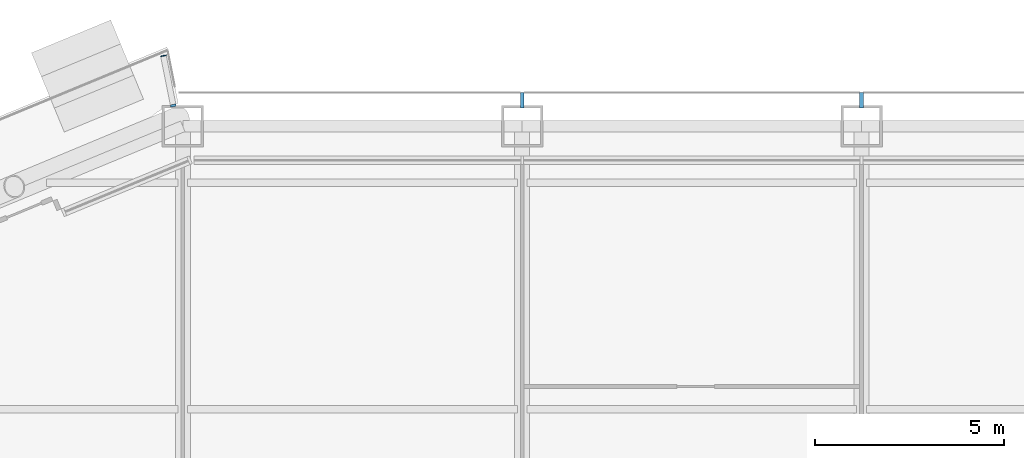
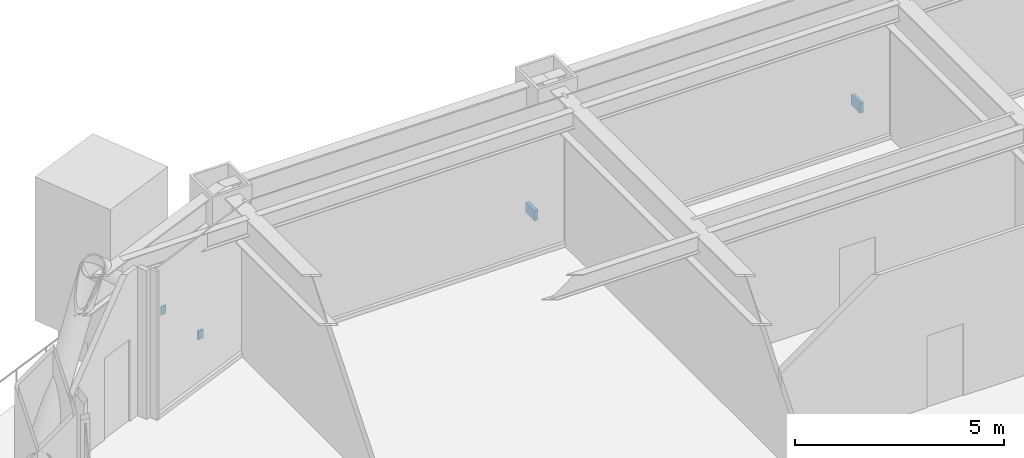
# One storey, part 21 of 28: 4 discrete accessories.
"""IFC4 building model written with IfcOpenShell, lengths in metres."""

from ifc_helpers import new_model, si_unit, direction, frame, origin, origin_2d, place, context, subcontext, project, spatial, rectangle, extrude, material, layer, layer_set, type_object, element, save


model = new_model("IFC4")

# Units and contexts
model_context = context("Model", 3, precision=1e-05, world=origin(), true_north=direction((0.0, 1.0)))
body_context = subcontext(model_context, "Body", "Model", "MODEL_VIEW")
ifc_project = project(units=[si_unit("LENGTHUNIT", "METRE"), si_unit("AREAUNIT", "SQUARE_METRE"), si_unit("VOLUMEUNIT", "CUBIC_METRE"), si_unit("PLANEANGLEUNIT", "RADIAN"), si_unit("MASSUNIT", "GRAM", prefix="KILO")], contexts=[model_context])

# Site, building, storey
site_placement = place(None, origin())
site = spatial("IfcSite", under=ifc_project, at=site_placement, CompositionType="ELEMENT")
building_placement = place(site_placement, origin())
building = spatial("IfcBuilding", under=site, at=building_placement, Name="Siwar Civic Tower", CompositionType="ELEMENT")
storey_placement = place(building_placement, frame((0.0, 0.0, 31.199951171875)))
storey = spatial("IfcBuildingStorey", under=building, at=storey_placement, Name="L06", CompositionType="ELEMENT", Elevation=31.199951171875)

# Discrete accessories
ifc_material_1 = material(Name="Stainless steel 316", Category="steel")
discrete_accessory_type_1 = type_object("IfcDiscreteAccessoryType", Name="ENV-BRACKET", PredefinedType="BRACKET", material=ifc_material_1)
for number, where, z_axis, x_axis, name in (
    (1, (-4.5, 32.18994140625, -0.14990234375), (0.0, 0.0, 1.0), (0.0, 1.0, 0.0), "Bracket outer skin joint N-03"),
    (2, (-13.5, 32.18994140625, -0.14990234375), (0.0, 0.0, 1.0), (0.0, 1.0, 0.0), "Bracket outer skin joint N-04"),
):
    element("IfcDiscreteAccessory", number, at=place(storey_placement, frame(where, z_axis=z_axis, x_axis=x_axis)), inside=storey, type_object=discrete_accessory_type_1, Name=name, PredefinedType="BRACKET", context=body_context, shape_type="SweptSolid", body=[
        extrude(rectangle(XDim=0.419921875, YDim=0.10009765625, at=origin_2d()), origin(), (0.0, 0.0, 1.0), 0.300048828125),
    ])
discrete_accessory_1_placement = place(storey_placement, frame((-22.752197265625, 32.050048828125, -0.39990234375), z_axis=(0.0, 0.0, 1.0), x_axis=(-0.195090322016, 0.980785280403, 0.0)))
element("IfcDiscreteAccessory", 3, at=discrete_accessory_1_placement, inside=storey, type_object=discrete_accessory_type_1, Name="Bracket balcony cantilever beam NW 1", PredefinedType="BRACKET", context=body_context, shape_type="SweptSolid", body=[
    extrude(rectangle(XDim=0.06005859375, YDim=0.14990234375, at=origin_2d()), origin(), (0.0, 0.0, 1.0), 0.25),
])
ifc_material_2 = material(Name="Steel S355", Category="steel")
ifc_layer = layer(ifc_material_2, 0.02001953125)
ifc_layer_set = layer_set([ifc_layer], Name="Steel S355")
discrete_accessory_type_2 = type_object("IfcDiscreteAccessoryType", Name="STR-END-CAP", PredefinedType="USERDEFINED", material=ifc_layer_set)
discrete_accessory_2_placement = place(storey_placement, frame((-23.014404296875, 33.36865234375, -0.39990234375), z_axis=(0.0, 0.0, 1.0), x_axis=(-0.195090322649, 0.980785280277, 0.0)))
element("IfcDiscreteAccessory", 4, at=discrete_accessory_2_placement, inside=storey, type_object=discrete_accessory_type_2, Name="End cap plate Balcony cantilever beam NW 1", ObjectType="END CAP PLATE", PredefinedType="USERDEFINED", context=body_context, shape_type="SweptSolid", body=[
    extrude(rectangle(XDim=0.02001953125, YDim=0.14990234375, at=origin_2d()), origin(), (0.0, 0.0, 1.0), 0.25),
])

save(model, "model.ifc")
